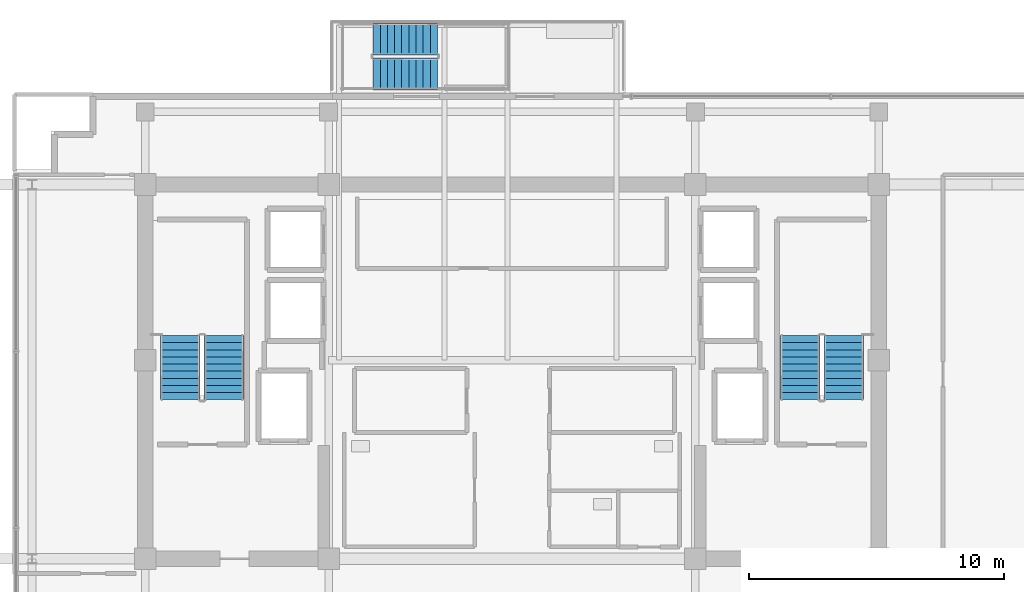
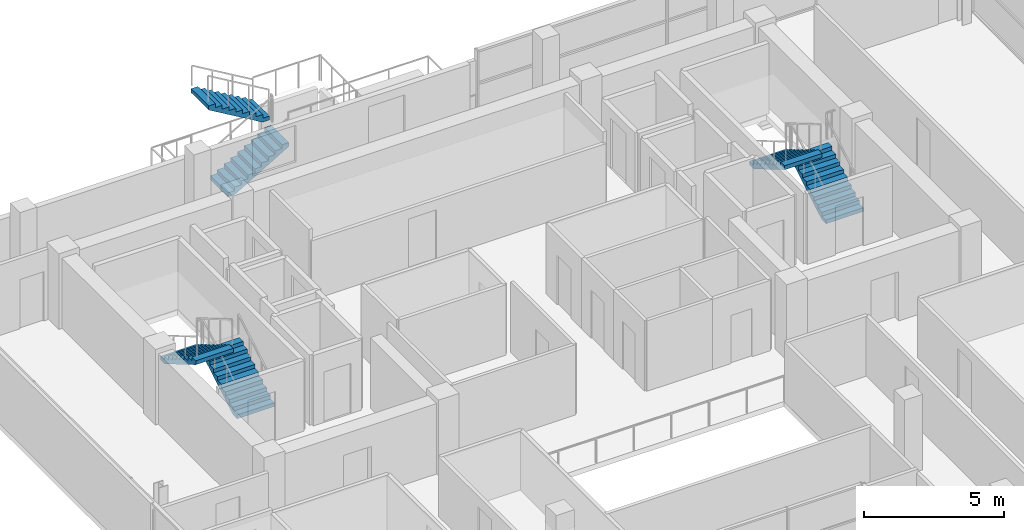
# One storey, part 18 of 23: 6 stair flights, 3 elements without a shape of their own.
"""IFC4 building model written with IfcOpenShell, lengths in metres."""

import ifcopenshell
import ifcopenshell.guid

model = None  # the IFC model being written
_history = None  # IfcOwnerHistory: only IFC2X3 demands one
_inside = {}  # id of a spatial element -> (the spatial element, [elements in it])
_under = {}  # id of a project, library or spatial element -> (it, [spatial elements below it])
_declared = {}  # id of a project -> (the project, [libraries it declares])
_typed = {}  # id of a type object -> (the type object, [elements of that type])
_made_of = {}  # id of a material, layer set ... -> (it, [elements and type objects made of it])


def new_model(schema):
    """Start an empty IFC model of exactly this schema.

    Asked for "IFC4X3", IfcOpenShell would pick the latest addendum, in which some entities
    have other attributes; the version numbers below select the first issue.
    IFC2X3 requires an IfcOwnerHistory on every rooted entity: one is made here for all.
    """
    global model, _history
    if schema == "IFC4X3":
        model = ifcopenshell.file(schema_version=(4, 3, 0, 0))
    else:
        model = ifcopenshell.file(schema=schema)
    _inside.clear()
    _under.clear()
    _declared.clear()
    _typed.clear()
    _made_of.clear()
    _history = None
    if model.schema == "IFC2X3":
        org = make("IfcOrganization", Name="unknown")
        user = make(
            "IfcPersonAndOrganization",
            ThePerson=make("IfcPerson", FamilyName="unknown"),
            TheOrganization=org,
        )
        app = make(
            "IfcApplication",
            ApplicationDeveloper=org,
            Version="unknown",
            ApplicationFullName="unknown",
            ApplicationIdentifier="unknown",
        )
        _history = make(
            "IfcOwnerHistory",
            OwningUser=user,
            OwningApplication=app,
            ChangeAction="ADDED",
            CreationDate=0,
        )
    return model


def make(cls, **values):
    """One entity of the class cls with the attributes given. An attribute that is None is left unset."""
    return model.create_entity(
        cls, **{name: value for name, value in values.items() if value is not None}
    )


def rooted(cls, **values):
    """An entity with a GlobalId (a new one), such as an element, a storey or a relation."""
    return make(cls, GlobalId=ifcopenshell.guid.new(), OwnerHistory=_history, **values)


def si_unit(unit_type, name, prefix=None):
    """IfcSIUnit, for example si_unit("LENGTHUNIT", "METRE", prefix="MILLI")."""
    return make("IfcSIUnit", UnitType=unit_type, Prefix=prefix, Name=name)


def assignment(units):
    """IfcUnitAssignment: the units of a project."""
    return None if units is None else make("IfcUnitAssignment", Units=units)


def point(xyz):
    """IfcCartesianPoint."""
    return None if xyz is None else make("IfcCartesianPoint", Coordinates=xyz)


def direction(xyz):
    """IfcDirection."""
    return None if xyz is None else make("IfcDirection", DirectionRatios=xyz)


def frame(location, z_axis=None, x_axis=None):
    """IfcAxis2Placement3D, a coordinate frame: its origin and axes. An axis left out is left unset."""
    return make(
        "IfcAxis2Placement3D",
        Location=point(location),
        Axis=direction(z_axis),
        RefDirection=direction(x_axis),
    )


def origin():
    """The frame at (0, 0, 0) with its axes left unset."""
    return frame((0.0, 0.0, 0.0))


def place(relative_to, where):
    """IfcLocalPlacement: puts the frame where relative to a parent placement (None: the world)."""
    return make(
        "IfcLocalPlacement", PlacementRelTo=relative_to, RelativePlacement=where
    )


def context(
    kind, dimensions, precision=None, world=None, true_north=None, identifier=None
):
    """IfcGeometricRepresentationContext, for example the 3D "Model" context."""
    return make(
        "IfcGeometricRepresentationContext",
        ContextIdentifier=identifier,
        ContextType=kind,
        CoordinateSpaceDimension=dimensions,
        Precision=precision,
        WorldCoordinateSystem=world,
        TrueNorth=true_north,
    )


def subcontext(parent, identifier, kind, view, scale=None):
    """IfcGeometricRepresentationSubContext, for example "Body" below "Model"."""
    return make(
        "IfcGeometricRepresentationSubContext",
        ContextIdentifier=identifier,
        ContextType=kind,
        ParentContext=parent,
        TargetScale=scale,
        TargetView=view,
    )


def project(units=None, contexts=None):
    """IfcProject with its units and contexts."""
    return rooted(
        "IfcProject",
        Name="project",
        RepresentationContexts=contexts,
        UnitsInContext=assignment(units),
    )


def spatial(cls, under=None, at=None, **own):
    """A site, building, storey or space (cls), placed at a placement, below another one or the project."""
    s = rooted(cls, ObjectPlacement=at, **own)
    if under is not None:
        _under.setdefault(under.id(), (under, []))[1].append(s)
    return s


def polyline(points):
    """IfcPolyline through the points."""
    return make("IfcPolyline", Points=[point(p) for p in points])


def outline(outer, holes=None, kind="AREA"):
    """IfcArbitraryClosedProfileDef: a profile drawn as a closed curve; with holes, ...WithVoids."""
    if holes is None:
        return make("IfcArbitraryClosedProfileDef", ProfileType=kind, OuterCurve=outer)
    return make(
        "IfcArbitraryProfileDefWithVoids",
        ProfileType=kind,
        OuterCurve=outer,
        InnerCurves=holes,
    )


def extrude(swept, where, along, depth):
    """IfcExtrudedAreaSolid: the profile swept, set in the frame where, extruded along a direction by depth."""
    return make(
        "IfcExtrudedAreaSolid",
        SweptArea=swept,
        Position=where,
        ExtrudedDirection=direction(along),
        Depth=depth,
    )


def shape(context_of_items, identifier, shape_type, items):
    """IfcShapeRepresentation: the items that make up one representation, for example the "Body"."""
    return make(
        "IfcShapeRepresentation",
        ContextOfItems=context_of_items,
        RepresentationIdentifier=identifier,
        RepresentationType=shape_type,
        Items=items,
    )


def material(Name=None, Category=None):
    """IfcMaterial."""
    return make("IfcMaterial", Name=Name, Category=Category)


def made_of(thing, what):
    """Note that an element or type object is made of a material, layer set ...; save() writes the relation."""
    if what is not None:
        _made_of.setdefault(what.id(), (what, []))[1].append(thing)
    return thing


def type_object(cls, material=None, **own):
    """A type object (cls), such as IfcWallType, which elements share."""
    return made_of(rooted(cls, **own), material)


def element(
    cls,
    number,
    at=None,
    inside=None,
    cuts=None,
    type_object=None,
    material=None,
    context=None,
    identifier="Body",
    shape_type=None,
    held_by="IfcProductDefinitionShape",
    body=None,
    shapes=None,
    **own,
):
    """One element of the class cls, such as IfcWall. Its Tag is "e" and its number.

    at: its placement. inside: the storey or other place that contains it. cuts: it is an
    opening in that element (IfcRelVoidsElement). A single representation is given by context,
    identifier, shape_type and body (its items); several are given by shapes. held_by: the class
    of the entity that holds the representations. save() writes the other relations.
    """
    e = rooted(cls, Tag="e%d" % number, ObjectPlacement=at, **own)
    if body is not None:
        shapes = [shape(context, identifier, shape_type, body)]
    if shapes is not None:
        e.Representation = make(held_by, Representations=shapes)
    if inside is not None:
        _inside.setdefault(inside.id(), (inside, []))[1].append(e)
    if cuts is not None:
        rooted(
            "IfcRelVoidsElement", RelatingBuildingElement=cuts, RelatedOpeningElement=e
        )
    if type_object is not None:
        _typed.setdefault(type_object.id(), (type_object, []))[1].append(e)
    return made_of(e, material)


def aggregate(whole, parts):
    """IfcRelAggregates: a whole, such as a stair, and the parts it consists of."""
    return rooted("IfcRelAggregates", RelatingObject=whole, RelatedObjects=parts)


def save(model, path):
    """Write the relations noted so far, then the file.

    IfcRelAggregates (storeys below a building ...), IfcRelContainedInSpatialStructure (elements
    in a storey), IfcRelDefinesByType, IfcRelAssociatesMaterial and IfcRelDeclares: one each for
    every whole, place, type object, material and project.
    """
    for whole, parts in _under.values():
        aggregate(whole, parts)
    for where, things in _inside.values():
        rooted(
            "IfcRelContainedInSpatialStructure",
            RelatedElements=things,
            RelatingStructure=where,
        )
    for kind, things in _typed.values():
        rooted("IfcRelDefinesByType", RelatedObjects=things, RelatingType=kind)
    for what, things in _made_of.values():
        rooted("IfcRelAssociatesMaterial", RelatedObjects=things, RelatingMaterial=what)
    for by, libraries in _declared.values():
        rooted("IfcRelDeclares", RelatingContext=by, RelatedDefinitions=libraries)
    model.write(path)


model = new_model("IFC4")

# Units and contexts
model_context = context("Model", 3, precision=1e-05, world=origin(), true_north=direction((0.0, 1.0)))
body_context = subcontext(model_context, "Body", "Model", "MODEL_VIEW")
ifc_project = project(units=[si_unit("LENGTHUNIT", "METRE"), si_unit("AREAUNIT", "SQUARE_METRE"), si_unit("VOLUMEUNIT", "CUBIC_METRE"), si_unit("PLANEANGLEUNIT", "RADIAN"), si_unit("MASSUNIT", "GRAM", prefix="KILO")], contexts=[model_context])

# Site, building, storey
site_placement = place(None, origin())
site = spatial("IfcSite", under=ifc_project, at=site_placement, CompositionType="ELEMENT")
building_placement = place(site_placement, origin())
building = spatial("IfcBuilding", under=site, at=building_placement, Name="Zarnakvel Exchange Tower", CompositionType="ELEMENT")
storey_placement = place(building_placement, frame((0.0, 0.0, 232.0)))
storey = spatial("IfcBuildingStorey", under=building, at=storey_placement, Name="L65", CompositionType="ELEMENT", Elevation=232.0)

# Stair, stair flights
ifc_material = material(Name="Concrete C40/50", Category="concrete")
stair_type_1 = type_object("IfcStairType", Name="STR-01", PredefinedType="HALF_TURN_STAIR", material=ifc_material)
stair_1_placement = place(storey_placement, origin())
stair_1 = element("IfcStair", 1, at=stair_1_placement, inside=storey, type_object=stair_type_1, Name="L65 Protected Core Exit Stair ST-01", PredefinedType="HALF_TURN_STAIR")
stair_flight_type_1 = type_object("IfcStairFlightType", Name="FLT-01", PredefinedType="STRAIGHT", material=ifc_material)
stair_flight_1_placement = place(storey_placement, frame((-11.31494140625, 5.050048828125, 0.0), z_axis=(0.0, 0.0, 1.0), x_axis=(0.0, 1.0, 0.0)))
stair_flight_1 = element("IfcStairFlight", 2, at=stair_flight_1_placement, type_object=stair_flight_type_1, Name="ST-01 flight 1", NumberOfRisers=10, NumberOfTreads=9, PredefinedType="STRAIGHT", RiserHeight=0.165, TreadLength=0.28, context=body_context, shape_type="SweptSolid", body=[
    extrude(outline(polyline([(0.0, 0.0), (0.0, 0.1650390625), (0.280029296875, 0.1650390625), (0.280029296875, 0.330078125), (0.56005859375, 0.330078125), (0.56005859375, 0.4951171875), (0.840087890625, 0.4951171875), (0.840087890625, 0.659912109375), (1.1201171875, 0.659912109375), (1.1201171875, 0.824951171875), (1.39990234375, 0.824951171875), (1.39990234375, 0.989990234375), (1.679931640625, 0.989990234375), (1.679931640625, 1.155029296875), (1.9599609375, 1.155029296875), (1.9599609375, 1.320068359375), (2.239990234375, 1.320068359375), (2.239990234375, 1.485107421875), (2.52001953125, 1.485107421875), (2.52001953125, 1.64990234375), (2.52001953125, 1.31103515625), (0.295166015625, 0.0), (0.0, 0.0)])), frame((0.0, 0.77490234375, 0.0), z_axis=(0.0, -1.0, 0.0), x_axis=(1.0, 0.0, 0.0)), (0.0, 0.0, 1.0), 1.550048828125),
])
stair_flight_2_placement = place(storey_placement, frame((-13.02490234375, 7.570068359375, 1.64990234375), z_axis=(0.0, 0.0, 1.0), x_axis=(0.0, -1.0, 0.0)))
stair_flight_2 = element("IfcStairFlight", 3, at=stair_flight_2_placement, type_object=stair_flight_type_1, Name="ST-01 flight 2", NumberOfRisers=10, NumberOfTreads=9, PredefinedType="STRAIGHT", RiserHeight=0.165, TreadLength=0.28, context=body_context, shape_type="SweptSolid", body=[
    extrude(outline(polyline([(0.0, 0.0), (0.0, 0.1650390625), (0.280029296875, 0.1650390625), (0.280029296875, 0.330078125), (0.56005859375, 0.330078125), (0.56005859375, 0.4951171875), (0.840087890625, 0.4951171875), (0.840087890625, 0.659912109375), (1.1201171875, 0.659912109375), (1.1201171875, 0.824951171875), (1.39990234375, 0.824951171875), (1.39990234375, 0.989990234375), (1.679931640625, 0.989990234375), (1.679931640625, 1.155029296875), (1.9599609375, 1.155029296875), (1.9599609375, 1.320068359375), (2.239990234375, 1.320068359375), (2.239990234375, 1.485107421875), (2.52001953125, 1.485107421875), (2.52001953125, 1.64990234375), (2.52001953125, 1.31103515625), (0.295166015625, 0.0), (0.0, 0.0)])), frame((0.0, 0.77490234375, 0.0), z_axis=(0.0, -1.0, 0.0), x_axis=(1.0, 0.0, 0.0)), (0.0, 0.0, 1.0), 1.550048828125),
])
aggregate(stair_1, [stair_flight_1, stair_flight_2])

stair_2_placement = place(storey_placement, origin())
stair_2 = element("IfcStair", 4, at=stair_2_placement, inside=storey, type_object=stair_type_1, Name="L65 Protected Core Exit Stair ST-02", PredefinedType="HALF_TURN_STAIR")
stair_flight_3_placement = place(storey_placement, frame((13.02490234375, 5.050048828125, 0.0), z_axis=(0.0, 0.0, 1.0), x_axis=(0.0, 1.0, 0.0)))
stair_flight_3 = element("IfcStairFlight", 5, at=stair_flight_3_placement, type_object=stair_flight_type_1, Name="ST-02 flight 1", NumberOfRisers=10, NumberOfTreads=9, PredefinedType="STRAIGHT", RiserHeight=0.165, TreadLength=0.28, context=body_context, shape_type="SweptSolid", body=[
    extrude(outline(polyline([(0.0, 0.0), (0.0, 0.1650390625), (0.280029296875, 0.1650390625), (0.280029296875, 0.330078125), (0.56005859375, 0.330078125), (0.56005859375, 0.4951171875), (0.840087890625, 0.4951171875), (0.840087890625, 0.659912109375), (1.1201171875, 0.659912109375), (1.1201171875, 0.824951171875), (1.39990234375, 0.824951171875), (1.39990234375, 0.989990234375), (1.679931640625, 0.989990234375), (1.679931640625, 1.155029296875), (1.9599609375, 1.155029296875), (1.9599609375, 1.320068359375), (2.239990234375, 1.320068359375), (2.239990234375, 1.485107421875), (2.52001953125, 1.485107421875), (2.52001953125, 1.64990234375), (2.52001953125, 1.31103515625), (0.295166015625, 0.0), (0.0, 0.0)])), frame((0.0, 0.77490234375, 0.0), z_axis=(0.0, -1.0, 0.0), x_axis=(1.0, 0.0, 0.0)), (0.0, 0.0, 1.0), 1.550048828125),
])
stair_flight_4_placement = place(storey_placement, frame((11.31494140625, 7.570068359375, 1.64990234375), z_axis=(0.0, 0.0, 1.0), x_axis=(0.0, -1.0, 0.0)))
stair_flight_4 = element("IfcStairFlight", 6, at=stair_flight_4_placement, type_object=stair_flight_type_1, Name="ST-02 flight 2", NumberOfRisers=10, NumberOfTreads=9, PredefinedType="STRAIGHT", RiserHeight=0.165, TreadLength=0.28, context=body_context, shape_type="SweptSolid", body=[
    extrude(outline(polyline([(0.0, 0.0), (0.0, 0.1650390625), (0.280029296875, 0.1650390625), (0.280029296875, 0.330078125), (0.56005859375, 0.330078125), (0.56005859375, 0.4951171875), (0.840087890625, 0.4951171875), (0.840087890625, 0.659912109375), (1.1201171875, 0.659912109375), (1.1201171875, 0.824951171875), (1.39990234375, 0.824951171875), (1.39990234375, 0.989990234375), (1.679931640625, 0.989990234375), (1.679931640625, 1.155029296875), (1.9599609375, 1.155029296875), (1.9599609375, 1.320068359375), (2.239990234375, 1.320068359375), (2.239990234375, 1.485107421875), (2.52001953125, 1.485107421875), (2.52001953125, 1.64990234375), (2.52001953125, 1.31103515625), (0.295166015625, 0.0), (0.0, 0.0)])), frame((0.0, 0.77490234375, 0.0), z_axis=(0.0, -1.0, 0.0), x_axis=(1.0, 0.0, 0.0)), (0.0, 0.0, 1.0), 1.550048828125),
])
aggregate(stair_2, [stair_flight_3, stair_flight_4])

stair_type_2 = type_object("IfcStairType", Name="STR-05", PredefinedType="HALF_TURN_STAIR", material=ifc_material)
stair_3_placement = place(storey_placement, origin())
stair_3 = element("IfcStair", 7, at=stair_3_placement, inside=storey, type_object=stair_type_2, Name="L65 Spiral Sky-Terrace Connecting Stair ST-14", PredefinedType="HALF_TURN_STAIR")
stair_flight_type_2 = type_object("IfcStairFlightType", Name="FLT-05", PredefinedType="STRAIGHT", material=ifc_material)
stair_flight_5_placement = place(storey_placement, frame((-5.449951171875, 17.844970703125, 0.0), z_axis=(0.0, 0.0, 1.0), x_axis=(1.0, 0.0, 0.0)))
stair_flight_5 = element("IfcStairFlight", 8, at=stair_flight_5_placement, type_object=stair_flight_type_2, Name="ST-14 flight 1", NumberOfRisers=10, NumberOfTreads=9, PredefinedType="STRAIGHT", RiserHeight=0.165, TreadLength=0.28, context=body_context, shape_type="SweptSolid", body=[
    extrude(outline(polyline([(0.0, 0.0), (0.0, 0.1650390625), (0.280029296875, 0.1650390625), (0.280029296875, 0.330078125), (0.56005859375, 0.330078125), (0.56005859375, 0.4951171875), (0.840087890625, 0.4951171875), (0.840087890625, 0.659912109375), (1.1201171875, 0.659912109375), (1.1201171875, 0.824951171875), (1.39990234375, 0.824951171875), (1.39990234375, 0.989990234375), (1.679931640625, 0.989990234375), (1.679931640625, 1.155029296875), (1.9599609375, 1.155029296875), (1.9599609375, 1.320068359375), (2.239990234375, 1.320068359375), (2.239990234375, 1.485107421875), (2.52001953125, 1.485107421875), (2.52001953125, 1.64990234375), (2.52001953125, 1.31103515625), (0.295166015625, 0.0), (0.0, 0.0)])), frame((0.0, 0.625, 0.0), z_axis=(0.0, -1.0, 0.0), x_axis=(1.0, 0.0, 0.0)), (0.0, 0.0, 1.0), 1.25),
])
stair_flight_6_placement = place(storey_placement, frame((-2.929931640625, 19.215087890625, 1.64990234375), z_axis=(0.0, 0.0, 1.0), x_axis=(-1.0, 0.0, 0.0)))
stair_flight_6 = element("IfcStairFlight", 9, at=stair_flight_6_placement, type_object=stair_flight_type_2, Name="ST-14 flight 2", NumberOfRisers=10, NumberOfTreads=9, PredefinedType="STRAIGHT", RiserHeight=0.165, TreadLength=0.28, context=body_context, shape_type="SweptSolid", body=[
    extrude(outline(polyline([(0.0, 0.0), (0.0, 0.1650390625), (0.280029296875, 0.1650390625), (0.280029296875, 0.330078125), (0.56005859375, 0.330078125), (0.56005859375, 0.4951171875), (0.840087890625, 0.4951171875), (0.840087890625, 0.659912109375), (1.1201171875, 0.659912109375), (1.1201171875, 0.824951171875), (1.39990234375, 0.824951171875), (1.39990234375, 0.989990234375), (1.679931640625, 0.989990234375), (1.679931640625, 1.155029296875), (1.9599609375, 1.155029296875), (1.9599609375, 1.320068359375), (2.239990234375, 1.320068359375), (2.239990234375, 1.485107421875), (2.52001953125, 1.485107421875), (2.52001953125, 1.64990234375), (2.52001953125, 1.31103515625), (0.295166015625, 0.0), (0.0, 0.0)])), frame((0.0, 0.625, 0.0), z_axis=(0.0, -1.0, 0.0), x_axis=(1.0, 0.0, 0.0)), (0.0, 0.0, 1.0), 1.25),
])
aggregate(stair_3, [stair_flight_5, stair_flight_6])

save(model, "model.ifc")
